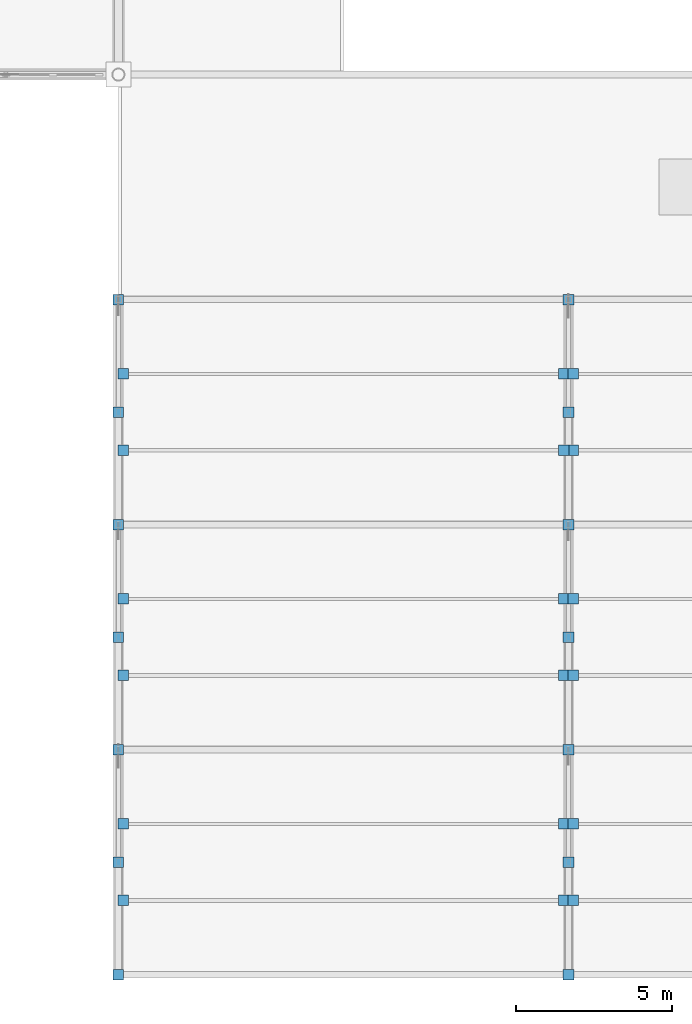
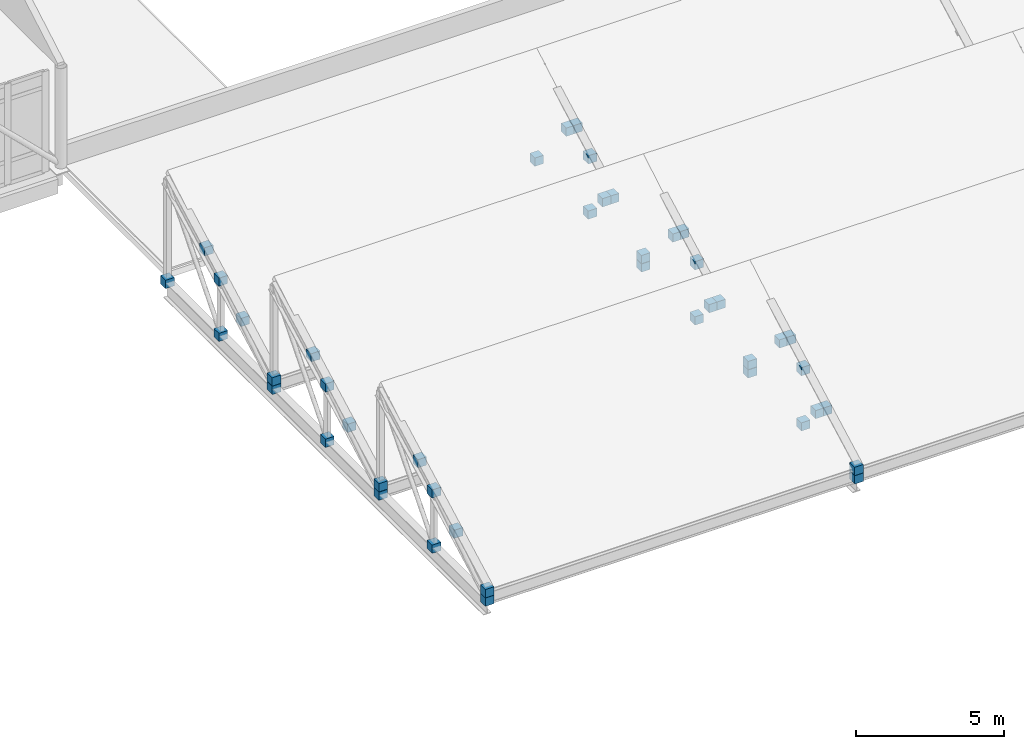
# One storey, part 51 of 62: 44 discrete accessories.
"""IFC4 building model written with IfcOpenShell, lengths in metres."""

from ifc_helpers import new_model, si_unit, direction, frame, origin, origin_2d, place, context, subcontext, project, spatial, rectangle, extrude, material, type_object, element, save


model = new_model("IFC4")

# Units and contexts
model_context = context("Model", 3, precision=1e-05, world=origin(), true_north=direction((0.0, 1.0)))
body_context = subcontext(model_context, "Body", "Model", "MODEL_VIEW")
ifc_project = project(units=[si_unit("LENGTHUNIT", "METRE"), si_unit("AREAUNIT", "SQUARE_METRE"), si_unit("VOLUMEUNIT", "CUBIC_METRE"), si_unit("PLANEANGLEUNIT", "RADIAN"), si_unit("MASSUNIT", "GRAM", prefix="KILO")], contexts=[model_context])

# Site, building, storey
site_placement = place(None, origin())
site = spatial("IfcSite", under=ifc_project, at=site_placement, CompositionType="ELEMENT")
building_placement = place(site_placement, origin())
building = spatial("IfcBuilding", under=site, at=building_placement, Name="Valkovuoma Quantum and Materials Research Institute", CompositionType="ELEMENT")
storey_placement = place(building_placement, frame((0.0, 0.0, 13.1201171875)))
storey = spatial("IfcBuildingStorey", under=building, at=storey_placement, Name="L03", CompositionType="ELEMENT", Elevation=13.1201171875)

# Discrete accessories
ifc_material = material(Name="Steel S355J2", Category="steel")
discrete_accessory_type = type_object("IfcDiscreteAccessoryType", Name="Conn-END-01", PredefinedType="BRACKET", material=ifc_material)
for number, where, z_axis, x_axis, name in (
    (1, (100.800048828125, 7.199951171875, -0.169921875), (0.0, 0.0, 1.0), (1.0, 0.0, 0.0), "L03 brace end connection assembly 0045"),
    (2, (100.800048828125, 14.39990234375, -0.52001953125), (0.0, 0.0, 1.0), (1.0, 0.0, 0.0), "L03 brace end connection assembly 0046"),
    (3, (100.800048828125, 10.800048828125, -0.52001953125), (0.0, 0.0, 1.0), (1.0, 0.0, 0.0), "L03 brace end connection assembly 0047"),
    (4, (100.800048828125, 10.800048828125, 1.7548828125), (0.0, 0.0, 1.0), (1.0, 0.0, 0.0), "L03 brace end connection assembly 0048"),
    (5, (100.800048828125, 7.199951171875, -0.52001953125), (0.0, 0.0, 1.0), (1.0, 0.0, 0.0), "L03 brace end connection assembly 0049"),
    (6, (100.800048828125, 14.39990234375, -0.169921875), (0.0, 0.0, 1.0), (1.0, 0.0, 0.0), "L03 brace end connection assembly 0050"),
    (7, (100.800048828125, 21.60009765625, -0.52001953125), (0.0, 0.0, 1.0), (1.0, 0.0, 0.0), "L03 brace end connection assembly 0051"),
    (8, (100.800048828125, 18.0, -0.52001953125), (0.0, 0.0, 1.0), (1.0, 0.0, 0.0), "L03 brace end connection assembly 0052"),
    (9, (100.800048828125, 18.0, 1.7548828125), (0.0, 0.0, 1.0), (1.0, 0.0, 0.0), "L03 brace end connection assembly 0053"),
    (10, (100.800048828125, 21.60009765625, -0.169921875), (0.0, 0.0, 1.0), (1.0, 0.0, 0.0), "L03 brace end connection assembly 0054"),
    (11, (100.800048828125, 28.800048828125, -0.52001953125), (0.0, 0.0, 1.0), (1.0, 0.0, 0.0), "L03 brace end connection assembly 0055"),
    (12, (100.800048828125, 25.199951171875, -0.52001953125), (0.0, 0.0, 1.0), (1.0, 0.0, 0.0), "L03 brace end connection assembly 0056"),
    (13, (100.800048828125, 25.199951171875, 1.7548828125), (0.0, 0.0, 1.0), (1.0, 0.0, 0.0), "L03 brace end connection assembly 0057"),
    (14, (115.199951171875, 7.199951171875, -0.169921875), (0.0, 0.0, 1.0), (1.0, 0.0, 0.0), "L03 brace end connection assembly 0058"),
    (15, (115.199951171875, 14.39990234375, -0.52001953125), (0.0, 0.0, 1.0), (1.0, 0.0, 0.0), "L03 brace end connection assembly 0059"),
    (16, (115.199951171875, 10.800048828125, -0.52001953125), (0.0, 0.0, 1.0), (1.0, 0.0, 0.0), "L03 brace end connection assembly 0060"),
    (17, (115.199951171875, 10.800048828125, 1.7548828125), (0.0, 0.0, 1.0), (1.0, 0.0, 0.0), "L03 brace end connection assembly 0061"),
    (18, (115.199951171875, 7.199951171875, -0.52001953125), (0.0, 0.0, 1.0), (1.0, 0.0, 0.0), "L03 brace end connection assembly 0062"),
    (19, (115.199951171875, 14.39990234375, -0.169921875), (0.0, 0.0, 1.0), (1.0, 0.0, 0.0), "L03 brace end connection assembly 0063"),
    (20, (115.199951171875, 21.60009765625, -0.52001953125), (0.0, 0.0, 1.0), (1.0, 0.0, 0.0), "L03 brace end connection assembly 0064"),
    (21, (115.199951171875, 18.0, -0.52001953125), (0.0, 0.0, 1.0), (1.0, 0.0, 0.0), "L03 brace end connection assembly 0065"),
    (22, (115.199951171875, 18.0, 1.7548828125), (0.0, 0.0, 1.0), (1.0, 0.0, 0.0), "L03 brace end connection assembly 0066"),
    (23, (115.199951171875, 21.60009765625, -0.169921875), (0.0, 0.0, 1.0), (1.0, 0.0, 0.0), "L03 brace end connection assembly 0067"),
    (24, (115.199951171875, 28.800048828125, -0.52001953125), (0.0, 0.0, 1.0), (1.0, 0.0, 0.0), "L03 brace end connection assembly 0068"),
    (25, (115.199951171875, 25.199951171875, -0.52001953125), (0.0, 0.0, 1.0), (1.0, 0.0, 0.0), "L03 brace end connection assembly 0069"),
    (26, (115.199951171875, 25.199951171875, 1.7548828125), (0.0, 0.0, 1.0), (1.0, 0.0, 0.0), "L03 brace end connection assembly 0070"),
    (27, (100.949951171875, 9.575927734375, 0.78125), (0.0, 0.0, 1.0), (1.0, 0.0, 0.0), "L03 brace end connection assembly 0097"),
    (28, (115.050048828125, 9.575927734375, 0.78125), (0.0, 0.0, 1.0), (1.0, 0.0, 0.0), "L03 brace end connection assembly 0098"),
    (29, (100.949951171875, 12.02392578125, 2.208984375), (0.0, 0.0, 1.0), (1.0, 0.0, 0.0), "L03 brace end connection assembly 0099"),
    (30, (115.050048828125, 12.02392578125, 2.208984375), (0.0, 0.0, 1.0), (1.0, 0.0, 0.0), "L03 brace end connection assembly 0100"),
    (31, (115.35009765625, 9.575927734375, 0.78125), (0.0, 0.0, 1.0), (1.0, 0.0, 0.0), "L03 brace end connection assembly 0101"),
    (32, (115.35009765625, 12.02392578125, 2.208984375), (0.0, 0.0, 1.0), (1.0, 0.0, 0.0), "L03 brace end connection assembly 0103"),
    (33, (100.949951171875, 16.77587890625, 0.78125), (0.0, 0.0, 1.0), (1.0, 0.0, 0.0), "L03 brace end connection assembly 0109"),
    (34, (115.050048828125, 16.77587890625, 0.78125), (0.0, 0.0, 1.0), (1.0, 0.0, 0.0), "L03 brace end connection assembly 0110"),
    (35, (100.949951171875, 19.22412109375, 2.208984375), (0.0, 0.0, 1.0), (1.0, 0.0, 0.0), "L03 brace end connection assembly 0111"),
    (36, (115.050048828125, 19.22412109375, 2.208984375), (0.0, 0.0, 1.0), (1.0, 0.0, 0.0), "L03 brace end connection assembly 0112"),
    (37, (115.35009765625, 16.77587890625, 0.78125), (0.0, 0.0, 1.0), (1.0, 0.0, 0.0), "L03 brace end connection assembly 0113"),
    (38, (115.35009765625, 19.22412109375, 2.208984375), (0.0, 0.0, 1.0), (1.0, 0.0, 0.0), "L03 brace end connection assembly 0115"),
    (39, (100.949951171875, 23.97607421875, 0.78125), (0.0, 0.0, 1.0), (1.0, 0.0, 0.0), "L03 brace end connection assembly 0121"),
    (40, (115.050048828125, 23.97607421875, 0.78125), (0.0, 0.0, 1.0), (1.0, 0.0, 0.0), "L03 brace end connection assembly 0122"),
    (41, (100.949951171875, 26.424072265625, 2.208984375), (0.0, 0.0, 1.0), (1.0, 0.0, 0.0), "L03 brace end connection assembly 0123"),
    (42, (115.050048828125, 26.424072265625, 2.208984375), (0.0, 0.0, 1.0), (1.0, 0.0, 0.0), "L03 brace end connection assembly 0124"),
    (43, (115.35009765625, 23.97607421875, 0.78125), (0.0, 0.0, 1.0), (1.0, 0.0, 0.0), "L03 brace end connection assembly 0125"),
    (44, (115.35009765625, 26.424072265625, 2.208984375), (0.0, 0.0, 1.0), (1.0, 0.0, 0.0), "L03 brace end connection assembly 0127"),
):
    element("IfcDiscreteAccessory", number, at=place(storey_placement, frame(where, z_axis=z_axis, x_axis=x_axis)), inside=storey, type_object=discrete_accessory_type, Name=name, PredefinedType="BRACKET", context=body_context, shape_type="SweptSolid", body=[
        extrude(rectangle(XDim=0.340087890625, YDim=0.340087890625, at=origin_2d()), origin(), (0.0, 0.0, 1.0), 0.340087890625),
    ])

save(model, "model.ifc")
